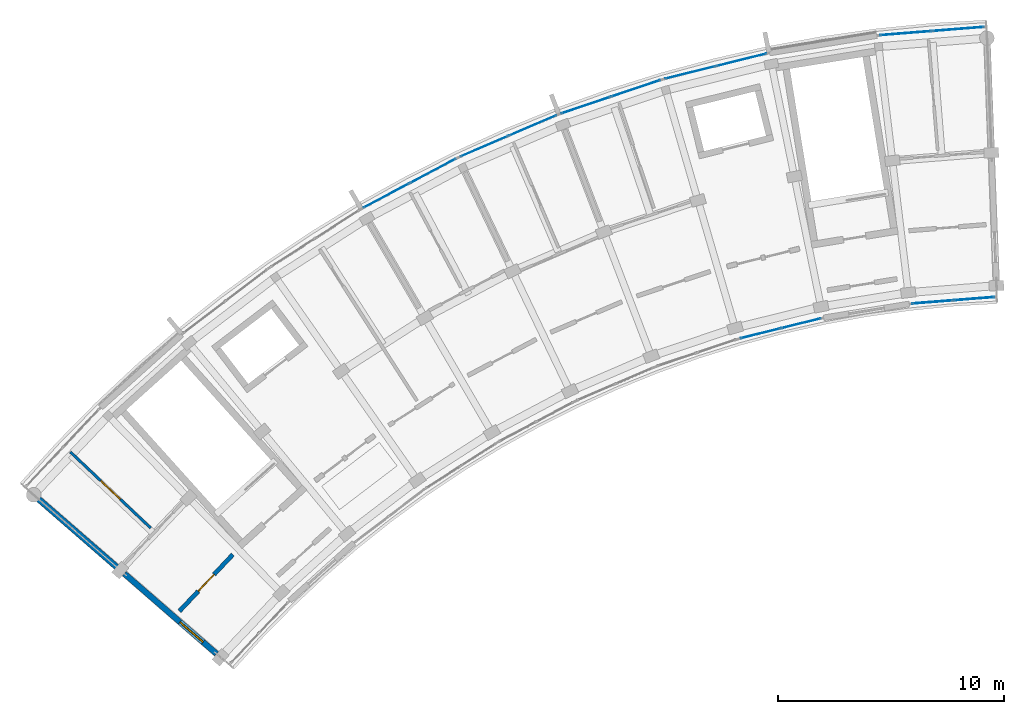
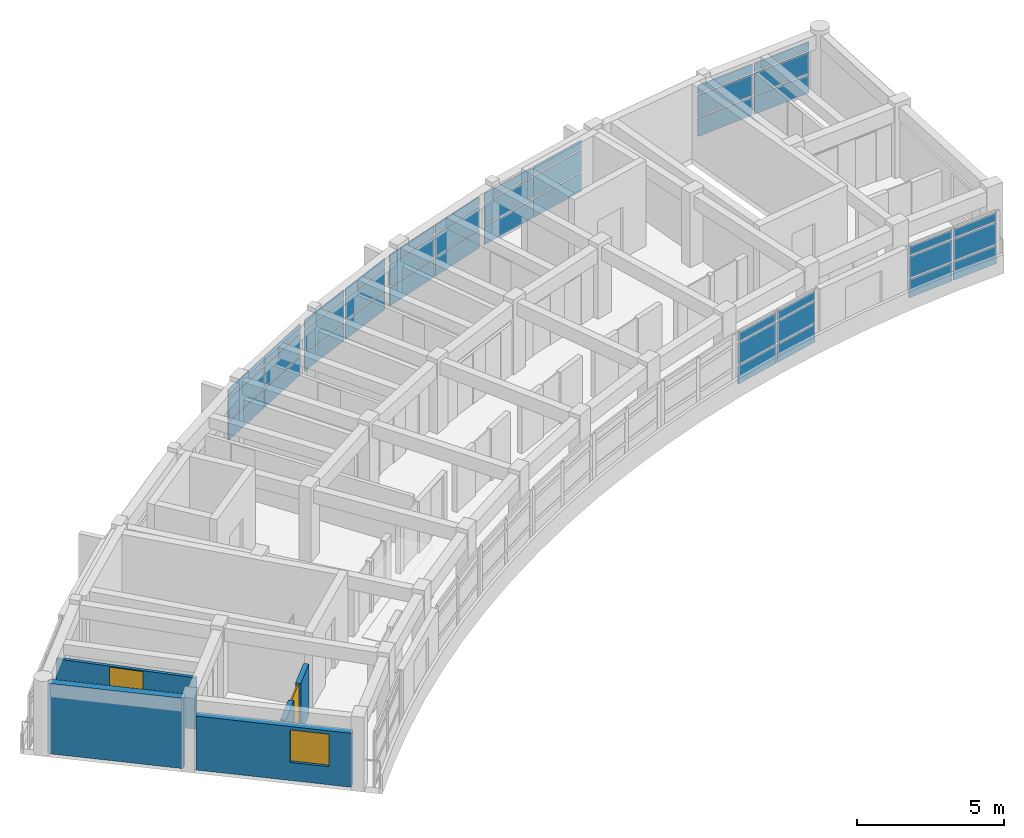
# One storey, part 7 of 11: 42 plates, 4 walls, 2 doors, 1 window, 3 openings, 7 elements without a shape of their own.
"""IFC4 building model written with IfcOpenShell, lengths in metres."""

from ifc_helpers import new_model, si_unit, direction, frame, frame_2d, origin, origin_2d, place, context, subcontext, project, spatial, rectangle, extrude, material, layer, layer_set, type_object, element, fill, aggregate, save


model = new_model("IFC4")

# Units and contexts
model_context = context("Model", 3, precision=1e-05, world=origin(), true_north=direction((0.0, 1.0)))
body_context = subcontext(model_context, "Body", "Model", "MODEL_VIEW")
ifc_project = project(units=[si_unit("LENGTHUNIT", "METRE"), si_unit("AREAUNIT", "SQUARE_METRE"), si_unit("VOLUMEUNIT", "CUBIC_METRE"), si_unit("PLANEANGLEUNIT", "RADIAN"), si_unit("MASSUNIT", "GRAM", prefix="KILO")], contexts=[model_context])

# Site, building, storey
site_placement = place(None, origin())
site = spatial("IfcSite", under=ifc_project, at=site_placement, CompositionType="ELEMENT")
building_placement = place(site_placement, origin())
building = spatial("IfcBuilding", under=site, at=building_placement, Name="Zimvara Arc Housing Community", CompositionType="ELEMENT")
storey_placement = place(building_placement, frame((0.0, 0.0, 42.199951171875)))
storey = spatial("IfcBuildingStorey", under=building, at=storey_placement, Name="L13", CompositionType="ELEMENT", Elevation=42.199951171875)

# Curtain wall, plates
ifc_material_1 = material(Name="Anodised Aluminium AW-6063", Category="aluminium")
curtain_wall_type_1 = type_object("IfcCurtainWallType", Name="CW-SYS-08", PredefinedType="USERDEFINED", material=ifc_material_1)
curtain_wall_1_placement = place(storey_placement, origin())
curtain_wall_1 = element("IfcCurtainWall", 1, at=curtain_wall_1_placement, inside=storey, type_object=curtain_wall_type_1, Name="cw:blkA:L13:in:b9", ObjectType="CURTAIN WALL", PredefinedType="USERDEFINED")
ifc_material_2 = material(Name="Pale-Gold Anodised Aluminium Spandrel Panel", Category="aluminium")
ifc_layer_1 = layer(ifc_material_2, 0.035888671875)
ifc_layer_set_1 = layer_set([ifc_layer_1], Name="Pale-Gold Anodised Aluminium Spandrel Panel")
plate_type_1 = type_object("IfcPlateType", Name="CWP-GLD-36", PredefinedType="CURTAIN_PANEL", material=ifc_layer_set_1)
plate_1_placement = place(storey_placement, frame((40.33056640625, 91.658935546875, 0.065185546875), z_axis=(0.0, 0.0, 1.0), x_axis=(0.996862312384, 0.079155101851, 0.0)))
plate_1 = element("IfcPlate", 2, at=plate_1_placement, type_object=plate_type_1, Name="CW08 panel 1.1", PredefinedType="CURTAIN_PANEL", context=body_context, shape_type="SweptSolid", body=[
    extrude(rectangle(XDim=1.778564453125, YDim=0.035888671875, at=origin_2d()), origin(), (0.0, 0.0, 1.0), 0.75244140625),
])
plate_2_placement = place(storey_placement, frame((40.33056640625, 91.658935546875, 0.88232421875), z_axis=(0.0, 0.0, 1.0), x_axis=(0.996862312384, 0.079155101851, 0.0)))
plate_2 = element("IfcPlate", 3, at=plate_2_placement, type_object=plate_type_1, Name="CW08 panel 1.2", PredefinedType="CURTAIN_PANEL", context=body_context, shape_type="SweptSolid", body=[
    extrude(rectangle(XDim=1.778564453125, YDim=0.035888671875, at=origin_2d()), origin(), (0.0, 0.0, 1.0), 0.885009765625),
])
plate_3_placement = place(storey_placement, frame((40.33056640625, 91.658935546875, 1.83251953125), z_axis=(0.0, 0.0, 1.0), x_axis=(0.996862312384, 0.079155101851, 0.0)))
plate_3 = element("IfcPlate", 4, at=plate_3_placement, type_object=plate_type_1, Name="CW08 panel 1.3", PredefinedType="CURTAIN_PANEL", context=body_context, shape_type="SweptSolid", body=[
    extrude(rectangle(XDim=1.778564453125, YDim=0.035888671875, at=origin_2d()), origin(), (0.0, 0.0, 1.0), 0.3525390625),
])
plate_4_placement = place(storey_placement, frame((42.16845703125, 91.8046875, 0.065185546875), z_axis=(0.0, 0.0, 1.0), x_axis=(0.996862312384, 0.079155101851, 0.0)))
plate_4 = element("IfcPlate", 5, at=plate_4_placement, type_object=plate_type_1, Name="CW08 panel 2.1", PredefinedType="CURTAIN_PANEL", context=body_context, shape_type="SweptSolid", body=[
    extrude(rectangle(XDim=1.778564453125, YDim=0.035888671875, at=origin_2d()), origin(), (0.0, 0.0, 1.0), 0.75244140625),
])
plate_5_placement = place(storey_placement, frame((42.16845703125, 91.8046875, 0.88232421875), z_axis=(0.0, 0.0, 1.0), x_axis=(0.996862312384, 0.079155101851, 0.0)))
plate_5 = element("IfcPlate", 6, at=plate_5_placement, type_object=plate_type_1, Name="CW08 panel 2.2", PredefinedType="CURTAIN_PANEL", context=body_context, shape_type="SweptSolid", body=[
    extrude(rectangle(XDim=1.778564453125, YDim=0.035888671875, at=origin_2d()), origin(), (0.0, 0.0, 1.0), 0.885009765625),
])
plate_6_placement = place(storey_placement, frame((42.16845703125, 91.8046875, 1.83251953125), z_axis=(0.0, 0.0, 1.0), x_axis=(0.996862312384, 0.079155101851, 0.0)))
plate_6 = element("IfcPlate", 7, at=plate_6_placement, type_object=plate_type_1, Name="CW08 panel 2.3", PredefinedType="CURTAIN_PANEL", context=body_context, shape_type="SweptSolid", body=[
    extrude(rectangle(XDim=1.778564453125, YDim=0.035888671875, at=origin_2d()), origin(), (0.0, 0.0, 1.0), 0.3525390625),
])
aggregate(curtain_wall_1, [plate_1, plate_2, plate_3, plate_4, plate_5, plate_6])

ifc_material_3 = material(Name="Anodised Aluminium AW-6063", Category="aluminium")
curtain_wall_type_2 = type_object("IfcCurtainWallType", Name="CW-SYS-01", PredefinedType="USERDEFINED", material=ifc_material_3)
curtain_wall_2_placement = place(storey_placement, origin())
curtain_wall_2 = element("IfcCurtainWall", 8, at=curtain_wall_2_placement, inside=storey, type_object=curtain_wall_type_2, Name="cw:blkA:L13:out:b5", ObjectType="CURTAIN WALL", PredefinedType="USERDEFINED")
ifc_material_4 = material(Name="Solar Control Low-E Double Glazing", Category="glass")
ifc_layer_2 = layer(ifc_material_4, 0.02392578125)
ifc_layer_set_2 = layer_set([ifc_layer_2], Name="Solar Control Low-E Double Glazing")
plate_type_2 = type_object("IfcPlateType", Name="CWP-GLZ-24", PredefinedType="CURTAIN_PANEL", material=ifc_layer_set_2)
plate_7_placement = place(storey_placement, frame((20.4990234375, 98.5478515625, 0.065185546875), z_axis=(0.0, 0.0, 1.0), x_axis=(0.918722299363, 0.394904211998, 0.0)))
plate_7 = element("IfcPlate", 9, at=plate_7_placement, type_object=plate_type_2, Name="CW01 panel 1.1", PredefinedType="CURTAIN_PANEL", context=body_context, shape_type="SweptSolid", body=[
    extrude(rectangle(XDim=2.266845703125, YDim=0.02392578125, at=origin_2d()), origin(), (0.0, 0.0, 1.0), 0.75244140625),
])
plate_8_placement = place(storey_placement, frame((20.4990234375, 98.5478515625, 0.88232421875), z_axis=(0.0, 0.0, 1.0), x_axis=(0.918722299363, 0.394904211998, 0.0)))
plate_8 = element("IfcPlate", 10, at=plate_8_placement, type_object=plate_type_2, Name="CW01 panel 1.2", PredefinedType="CURTAIN_PANEL", context=body_context, shape_type="SweptSolid", body=[
    extrude(rectangle(XDim=2.266845703125, YDim=0.02392578125, at=origin_2d()), origin(), (0.0, 0.0, 1.0), 0.885009765625),
])
plate_9_placement = place(storey_placement, frame((20.4990234375, 98.5478515625, 1.83251953125), z_axis=(0.0, 0.0, 1.0), x_axis=(0.918722299363, 0.394904211998, 0.0)))
plate_9 = element("IfcPlate", 11, at=plate_9_placement, type_object=plate_type_2, Name="CW01 panel 1.3", PredefinedType="CURTAIN_PANEL", context=body_context, shape_type="SweptSolid", body=[
    extrude(rectangle(XDim=2.266845703125, YDim=0.02392578125, at=origin_2d()), origin(), (0.0, 0.0, 1.0), 0.3525390625),
])
plate_10_placement = place(storey_placement, frame((22.641357421875, 99.46875, 0.065185546875), z_axis=(0.0, 0.0, 1.0), x_axis=(0.918722299363, 0.394904211998, 0.0)))
plate_10 = element("IfcPlate", 12, at=plate_10_placement, type_object=plate_type_2, Name="CW01 panel 2.1", PredefinedType="CURTAIN_PANEL", context=body_context, shape_type="SweptSolid", body=[
    extrude(rectangle(XDim=2.266845703125, YDim=0.02392578125, at=origin_2d()), origin(), (0.0, 0.0, 1.0), 0.75244140625),
])
plate_11_placement = place(storey_placement, frame((22.641357421875, 99.46875, 0.88232421875), z_axis=(0.0, 0.0, 1.0), x_axis=(0.918722299363, 0.394904211998, 0.0)))
plate_11 = element("IfcPlate", 13, at=plate_11_placement, type_object=plate_type_2, Name="CW01 panel 2.2", PredefinedType="CURTAIN_PANEL", context=body_context, shape_type="SweptSolid", body=[
    extrude(rectangle(XDim=2.266845703125, YDim=0.02392578125, at=origin_2d()), origin(), (0.0, 0.0, 1.0), 0.885009765625),
])
plate_12_placement = place(storey_placement, frame((22.641357421875, 99.46875, 1.83251953125), z_axis=(0.0, 0.0, 1.0), x_axis=(0.918722299363, 0.394904211998, 0.0)))
plate_12 = element("IfcPlate", 14, at=plate_12_placement, type_object=plate_type_2, Name="CW01 panel 2.3", PredefinedType="CURTAIN_PANEL", context=body_context, shape_type="SweptSolid", body=[
    extrude(rectangle(XDim=2.266845703125, YDim=0.02392578125, at=origin_2d()), origin(), (0.0, 0.0, 1.0), 0.3525390625),
])
aggregate(curtain_wall_2, [plate_7, plate_8, plate_9, plate_10, plate_11, plate_12])

ifc_material_5 = material(Name="Anodised Aluminium AW-6063", Category="aluminium")
curtain_wall_type_3 = type_object("IfcCurtainWallType", Name="CW-SYS-05", PredefinedType="USERDEFINED", material=ifc_material_5)
curtain_wall_3_placement = place(storey_placement, origin())
curtain_wall_3 = element("IfcCurtainWall", 15, at=curtain_wall_3_placement, inside=storey, type_object=curtain_wall_type_3, Name="cw:blkA:L13:out:b7", ObjectType="CURTAIN WALL", PredefinedType="USERDEFINED")
plate_13_placement = place(storey_placement, frame((29.615234375, 101.81298828125, 0.065185546875), z_axis=(0.0, 0.0, 1.0), x_axis=(0.970716068627, 0.240229711131, 0.0)))
plate_13 = element("IfcPlate", 16, at=plate_13_placement, type_object=plate_type_2, Name="CW05 panel 1.1", PredefinedType="CURTAIN_PANEL", context=body_context, shape_type="SweptSolid", body=[
    extrude(rectangle(XDim=2.266845703125, YDim=0.02392578125, at=origin_2d()), origin(), (0.0, 0.0, 1.0), 0.75244140625),
])
plate_14_placement = place(storey_placement, frame((29.615234375, 101.81298828125, 0.88232421875), z_axis=(0.0, 0.0, 1.0), x_axis=(0.970716068627, 0.240229711131, 0.0)))
plate_14 = element("IfcPlate", 17, at=plate_14_placement, type_object=plate_type_2, Name="CW05 panel 1.2", PredefinedType="CURTAIN_PANEL", context=body_context, shape_type="SweptSolid", body=[
    extrude(rectangle(XDim=2.266845703125, YDim=0.02392578125, at=origin_2d()), origin(), (0.0, 0.0, 1.0), 0.885009765625),
])
plate_15_placement = place(storey_placement, frame((29.615234375, 101.81298828125, 1.83251953125), z_axis=(0.0, 0.0, 1.0), x_axis=(0.970716068627, 0.240229711131, 0.0)))
plate_15 = element("IfcPlate", 18, at=plate_15_placement, type_object=plate_type_2, Name="CW05 panel 1.3", PredefinedType="CURTAIN_PANEL", context=body_context, shape_type="SweptSolid", body=[
    extrude(rectangle(XDim=2.266845703125, YDim=0.02392578125, at=origin_2d()), origin(), (0.0, 0.0, 1.0), 0.3525390625),
])
plate_16_placement = place(storey_placement, frame((31.87890625, 102.373291015625, 0.065185546875), z_axis=(0.0, 0.0, 1.0), x_axis=(0.970716068627, 0.240229711131, 0.0)))
plate_16 = element("IfcPlate", 19, at=plate_16_placement, type_object=plate_type_2, Name="CW05 panel 2.1", PredefinedType="CURTAIN_PANEL", context=body_context, shape_type="SweptSolid", body=[
    extrude(rectangle(XDim=2.266845703125, YDim=0.02392578125, at=origin_2d()), origin(), (0.0, 0.0, 1.0), 0.75244140625),
])
plate_17_placement = place(storey_placement, frame((31.87890625, 102.373291015625, 0.88232421875), z_axis=(0.0, 0.0, 1.0), x_axis=(0.970716068627, 0.240229711131, 0.0)))
plate_17 = element("IfcPlate", 20, at=plate_17_placement, type_object=plate_type_2, Name="CW05 panel 2.2", PredefinedType="CURTAIN_PANEL", context=body_context, shape_type="SweptSolid", body=[
    extrude(rectangle(XDim=2.266845703125, YDim=0.02392578125, at=origin_2d()), origin(), (0.0, 0.0, 1.0), 0.885009765625),
])
plate_18_placement = place(storey_placement, frame((31.87890625, 102.373291015625, 1.83251953125), z_axis=(0.0, 0.0, 1.0), x_axis=(0.970716068627, 0.240229711131, 0.0)))
plate_18 = element("IfcPlate", 21, at=plate_18_placement, type_object=plate_type_2, Name="CW05 panel 2.3", PredefinedType="CURTAIN_PANEL", context=body_context, shape_type="SweptSolid", body=[
    extrude(rectangle(XDim=2.266845703125, YDim=0.02392578125, at=origin_2d()), origin(), (0.0, 0.0, 1.0), 0.3525390625),
])
aggregate(curtain_wall_3, [plate_13, plate_14, plate_15, plate_16, plate_17, plate_18])

ifc_material_6 = material(Name="Anodised Aluminium AW-6063", Category="aluminium")
curtain_wall_type_4 = type_object("IfcCurtainWallType", Name="CW-SYS-06", PredefinedType="USERDEFINED", material=ifc_material_6)
curtain_wall_4_placement = place(storey_placement, origin())
curtain_wall_4 = element("IfcCurtainWall", 22, at=curtain_wall_4_placement, inside=storey, type_object=curtain_wall_type_4, Name="cw:blkA:L13:in:b7", ObjectType="CURTAIN WALL", PredefinedType="USERDEFINED")
ifc_material_7 = material(Name="Solar Control Low-E Double Glazing", Category="glass")
ifc_layer_3 = layer(ifc_material_7, 0.028076171875)
ifc_layer_set_3 = layer_set([ifc_layer_3], Name="Solar Control Low-E Double Glazing")
plate_type_3 = type_object("IfcPlateType", Name="CWP-GLZ-28", PredefinedType="CURTAIN_PANEL", material=ifc_layer_set_3)
plate_19_placement = place(storey_placement, frame((32.72314453125, 90.271484375, 0.065185546875), z_axis=(0.0, 0.0, 1.0), x_axis=(0.970716198507, 0.240229186313, 0.0)))
plate_19 = element("IfcPlate", 23, at=plate_19_placement, type_object=plate_type_3, Name="CW06 panel 1.1", PredefinedType="CURTAIN_PANEL", context=body_context, shape_type="SweptSolid", body=[
    extrude(rectangle(XDim=1.778564453125, YDim=0.028076171875, at=origin_2d()), origin(), (0.0, 0.0, 1.0), 0.75244140625),
])
plate_20_placement = place(storey_placement, frame((32.72314453125, 90.271484375, 0.88232421875), z_axis=(0.0, 0.0, 1.0), x_axis=(0.970716198507, 0.240229186313, 0.0)))
plate_20 = element("IfcPlate", 24, at=plate_20_placement, type_object=plate_type_3, Name="CW06 panel 1.2", PredefinedType="CURTAIN_PANEL", context=body_context, shape_type="SweptSolid", body=[
    extrude(rectangle(XDim=1.778564453125, YDim=0.028076171875, at=origin_2d()), origin(), (0.0, 0.0, 1.0), 0.885009765625),
])
plate_21_placement = place(storey_placement, frame((32.72314453125, 90.271484375, 1.83251953125), z_axis=(0.0, 0.0, 1.0), x_axis=(0.970716198507, 0.240229186313, 0.0)))
plate_21 = element("IfcPlate", 25, at=plate_21_placement, type_object=plate_type_3, Name="CW06 panel 1.3", PredefinedType="CURTAIN_PANEL", context=body_context, shape_type="SweptSolid", body=[
    extrude(rectangle(XDim=1.778564453125, YDim=0.028076171875, at=origin_2d()), origin(), (0.0, 0.0, 1.0), 0.3525390625),
])
plate_22_placement = place(storey_placement, frame((34.5126953125, 90.71435546875, 0.065185546875), z_axis=(0.0, 0.0, 1.0), x_axis=(0.970716198507, 0.240229186313, 0.0)))
plate_22 = element("IfcPlate", 26, at=plate_22_placement, type_object=plate_type_3, Name="CW06 panel 2.1", PredefinedType="CURTAIN_PANEL", context=body_context, shape_type="SweptSolid", body=[
    extrude(rectangle(XDim=1.778564453125, YDim=0.028076171875, at=origin_2d()), origin(), (0.0, 0.0, 1.0), 0.75244140625),
])
plate_23_placement = place(storey_placement, frame((34.5126953125, 90.71435546875, 0.88232421875), z_axis=(0.0, 0.0, 1.0), x_axis=(0.970716198507, 0.240229186313, 0.0)))
plate_23 = element("IfcPlate", 27, at=plate_23_placement, type_object=plate_type_3, Name="CW06 panel 2.2", PredefinedType="CURTAIN_PANEL", context=body_context, shape_type="SweptSolid", body=[
    extrude(rectangle(XDim=1.778564453125, YDim=0.028076171875, at=origin_2d()), origin(), (0.0, 0.0, 1.0), 0.885009765625),
])
plate_24_placement = place(storey_placement, frame((34.5126953125, 90.71435546875, 1.83251953125), z_axis=(0.0, 0.0, 1.0), x_axis=(0.970716198507, 0.240229186313, 0.0)))
plate_24 = element("IfcPlate", 28, at=plate_24_placement, type_object=plate_type_3, Name="CW06 panel 2.3", PredefinedType="CURTAIN_PANEL", context=body_context, shape_type="SweptSolid", body=[
    extrude(rectangle(XDim=1.778564453125, YDim=0.028076171875, at=origin_2d()), origin(), (0.0, 0.0, 1.0), 0.3525390625),
])
aggregate(curtain_wall_4, [plate_19, plate_20, plate_21, plate_22, plate_23, plate_24])

ifc_material_8 = material(Name="Anodised Aluminium AW-6063", Category="aluminium")
curtain_wall_type_5 = type_object("IfcCurtainWallType", Name="CW-SYS-07", PredefinedType="USERDEFINED", material=ifc_material_8)
curtain_wall_5_placement = place(storey_placement, origin())
curtain_wall_5 = element("IfcCurtainWall", 29, at=curtain_wall_5_placement, inside=storey, type_object=curtain_wall_type_5, Name="cw:blkA:L13:out:b4", ObjectType="CURTAIN WALL", PredefinedType="USERDEFINED")
ifc_material_9 = material(Name="Acoustic Laminated Solar Glazing", Category="glass")
ifc_layer_4 = layer(ifc_material_9, 0.031982421875)
ifc_layer_set_4 = layer_set([ifc_layer_4], Name="Acoustic Laminated Solar Glazing")
plate_type_4 = type_object("IfcPlateType", Name="CWP-GLZ-32", PredefinedType="CURTAIN_PANEL", material=ifc_layer_set_4)
plate_25_placement = place(storey_placement, frame((16.1708984375, 96.36865234375, 0.065185546875), z_axis=(0.0, 0.0, 1.0), x_axis=(0.883438614651, 0.468546917761, 0.0)))
plate_25 = element("IfcPlate", 30, at=plate_25_placement, type_object=plate_type_4, Name="CW07 panel 1.1", PredefinedType="CURTAIN_PANEL", context=body_context, shape_type="SweptSolid", body=[
    extrude(rectangle(XDim=2.266845703125, YDim=0.031982421875, at=origin_2d()), origin(), (0.0, 0.0, 1.0), 0.75244140625),
])
plate_26_placement = place(storey_placement, frame((16.1708984375, 96.36865234375, 0.88232421875), z_axis=(0.0, 0.0, 1.0), x_axis=(0.883438614651, 0.468546917761, 0.0)))
plate_26 = element("IfcPlate", 31, at=plate_26_placement, type_object=plate_type_4, Name="CW07 panel 1.2", PredefinedType="CURTAIN_PANEL", context=body_context, shape_type="SweptSolid", body=[
    extrude(rectangle(XDim=2.266845703125, YDim=0.031982421875, at=origin_2d()), origin(), (0.0, 0.0, 1.0), 0.885009765625),
])
plate_27_placement = place(storey_placement, frame((16.1708984375, 96.36865234375, 1.83251953125), z_axis=(0.0, 0.0, 1.0), x_axis=(0.883438614651, 0.468546917761, 0.0)))
plate_27 = element("IfcPlate", 32, at=plate_27_placement, type_object=plate_type_4, Name="CW07 panel 1.3", PredefinedType="CURTAIN_PANEL", context=body_context, shape_type="SweptSolid", body=[
    extrude(rectangle(XDim=2.266845703125, YDim=0.031982421875, at=origin_2d()), origin(), (0.0, 0.0, 1.0), 0.3525390625),
])
plate_28_placement = place(storey_placement, frame((18.23095703125, 97.461181640625, 0.065185546875), z_axis=(0.0, 0.0, 1.0), x_axis=(0.883438614651, 0.468546917761, 0.0)))
plate_28 = element("IfcPlate", 33, at=plate_28_placement, type_object=plate_type_4, Name="CW07 panel 2.1", PredefinedType="CURTAIN_PANEL", context=body_context, shape_type="SweptSolid", body=[
    extrude(rectangle(XDim=2.266845703125, YDim=0.031982421875, at=origin_2d()), origin(), (0.0, 0.0, 1.0), 0.75244140625),
])
plate_29_placement = place(storey_placement, frame((18.23095703125, 97.461181640625, 0.88232421875), z_axis=(0.0, 0.0, 1.0), x_axis=(0.883438614651, 0.468546917761, 0.0)))
plate_29 = element("IfcPlate", 34, at=plate_29_placement, type_object=plate_type_4, Name="CW07 panel 2.2", PredefinedType="CURTAIN_PANEL", context=body_context, shape_type="SweptSolid", body=[
    extrude(rectangle(XDim=2.266845703125, YDim=0.031982421875, at=origin_2d()), origin(), (0.0, 0.0, 1.0), 0.885009765625),
])
plate_30_placement = place(storey_placement, frame((18.23095703125, 97.461181640625, 1.83251953125), z_axis=(0.0, 0.0, 1.0), x_axis=(0.883438614651, 0.468546917761, 0.0)))
plate_30 = element("IfcPlate", 35, at=plate_30_placement, type_object=plate_type_4, Name="CW07 panel 2.3", PredefinedType="CURTAIN_PANEL", context=body_context, shape_type="SweptSolid", body=[
    extrude(rectangle(XDim=2.266845703125, YDim=0.031982421875, at=origin_2d()), origin(), (0.0, 0.0, 1.0), 0.3525390625),
])
aggregate(curtain_wall_5, [plate_25, plate_26, plate_27, plate_28, plate_29, plate_30])

ifc_material_10 = material(Name="Anodised Aluminium AW-6063", Category="aluminium")
curtain_wall_type_6 = type_object("IfcCurtainWallType", Name="CW-SYS-03", PredefinedType="USERDEFINED", material=ifc_material_10)
curtain_wall_6_placement = place(storey_placement, origin())
curtain_wall_6 = element("IfcCurtainWall", 36, at=curtain_wall_6_placement, inside=storey, type_object=curtain_wall_type_6, Name="cw:blkA:L13:out:b6", ObjectType="CURTAIN WALL", PredefinedType="USERDEFINED")
plate_31_placement = place(storey_placement, frame((24.990478515625, 100.36669921875, 0.065185546875), z_axis=(0.0, 0.0, 1.0), x_axis=(0.947879647164, 0.318628583921, 0.0)))
plate_31 = element("IfcPlate", 37, at=plate_31_placement, type_object=plate_type_4, Name="CW03 panel 1.1", PredefinedType="CURTAIN_PANEL", context=body_context, shape_type="SweptSolid", body=[
    extrude(rectangle(XDim=2.266845703125, YDim=0.031982421875, at=origin_2d()), origin(), (0.0, 0.0, 1.0), 0.75244140625),
])
plate_32_placement = place(storey_placement, frame((24.990478515625, 100.36669921875, 0.88232421875), z_axis=(0.0, 0.0, 1.0), x_axis=(0.947879647164, 0.318628583921, 0.0)))
plate_32 = element("IfcPlate", 38, at=plate_32_placement, type_object=plate_type_4, Name="CW03 panel 1.2", PredefinedType="CURTAIN_PANEL", context=body_context, shape_type="SweptSolid", body=[
    extrude(rectangle(XDim=2.266845703125, YDim=0.031982421875, at=origin_2d()), origin(), (0.0, 0.0, 1.0), 0.885009765625),
])
plate_33_placement = place(storey_placement, frame((24.990478515625, 100.36669921875, 1.83251953125), z_axis=(0.0, 0.0, 1.0), x_axis=(0.947879647164, 0.318628583921, 0.0)))
plate_33 = element("IfcPlate", 39, at=plate_33_placement, type_object=plate_type_4, Name="CW03 panel 1.3", PredefinedType="CURTAIN_PANEL", context=body_context, shape_type="SweptSolid", body=[
    extrude(rectangle(XDim=2.266845703125, YDim=0.031982421875, at=origin_2d()), origin(), (0.0, 0.0, 1.0), 0.3525390625),
])
plate_34_placement = place(storey_placement, frame((27.200927734375, 101.109619140625, 0.065185546875), z_axis=(0.0, 0.0, 1.0), x_axis=(0.947879647164, 0.318628583921, 0.0)))
plate_34 = element("IfcPlate", 40, at=plate_34_placement, type_object=plate_type_4, Name="CW03 panel 2.1", PredefinedType="CURTAIN_PANEL", context=body_context, shape_type="SweptSolid", body=[
    extrude(rectangle(XDim=2.266845703125, YDim=0.031982421875, at=origin_2d()), origin(), (0.0, 0.0, 1.0), 0.75244140625),
])
plate_35_placement = place(storey_placement, frame((27.200927734375, 101.109619140625, 0.88232421875), z_axis=(0.0, 0.0, 1.0), x_axis=(0.947879647164, 0.318628583921, 0.0)))
plate_35 = element("IfcPlate", 41, at=plate_35_placement, type_object=plate_type_4, Name="CW03 panel 2.2", PredefinedType="CURTAIN_PANEL", context=body_context, shape_type="SweptSolid", body=[
    extrude(rectangle(XDim=2.266845703125, YDim=0.031982421875, at=origin_2d()), origin(), (0.0, 0.0, 1.0), 0.885009765625),
])
plate_36_placement = place(storey_placement, frame((27.200927734375, 101.109619140625, 1.83251953125), z_axis=(0.0, 0.0, 1.0), x_axis=(0.947879647164, 0.318628583921, 0.0)))
plate_36 = element("IfcPlate", 42, at=plate_36_placement, type_object=plate_type_4, Name="CW03 panel 2.3", PredefinedType="CURTAIN_PANEL", context=body_context, shape_type="SweptSolid", body=[
    extrude(rectangle(XDim=2.266845703125, YDim=0.031982421875, at=origin_2d()), origin(), (0.0, 0.0, 1.0), 0.3525390625),
])
aggregate(curtain_wall_6, [plate_31, plate_32, plate_33, plate_34, plate_35, plate_36])

curtain_wall_7_placement = place(storey_placement, origin())
curtain_wall_7 = element("IfcCurtainWall", 43, at=curtain_wall_7_placement, inside=storey, type_object=curtain_wall_type_5, Name="cw:blkA:L13:out:b9", ObjectType="CURTAIN WALL", PredefinedType="USERDEFINED")
plate_37_placement = place(storey_placement, frame((39.141357421875, 103.552001953125, 0.065185546875), z_axis=(0.0, 0.0, 1.0), x_axis=(0.996862418963, 0.079153759607, 0.0)))
plate_37 = element("IfcPlate", 44, at=plate_37_placement, type_object=plate_type_4, Name="CW07 panel 1.1", PredefinedType="CURTAIN_PANEL", context=body_context, shape_type="SweptSolid", body=[
    extrude(rectangle(XDim=2.266845703125, YDim=0.031982421875, at=origin_2d()), origin(), (0.0, 0.0, 1.0), 0.75244140625),
])
plate_38_placement = place(storey_placement, frame((39.141357421875, 103.552001953125, 0.88232421875), z_axis=(0.0, 0.0, 1.0), x_axis=(0.996862418963, 0.079153759607, 0.0)))
plate_38 = element("IfcPlate", 45, at=plate_38_placement, type_object=plate_type_4, Name="CW07 panel 1.2", PredefinedType="CURTAIN_PANEL", context=body_context, shape_type="SweptSolid", body=[
    extrude(rectangle(XDim=2.266845703125, YDim=0.031982421875, at=origin_2d()), origin(), (0.0, 0.0, 1.0), 0.885009765625),
])
plate_39_placement = place(storey_placement, frame((39.141357421875, 103.552001953125, 1.83251953125), z_axis=(0.0, 0.0, 1.0), x_axis=(0.996862418963, 0.079153759607, 0.0)))
plate_39 = element("IfcPlate", 46, at=plate_39_placement, type_object=plate_type_4, Name="CW07 panel 1.3", PredefinedType="CURTAIN_PANEL", context=body_context, shape_type="SweptSolid", body=[
    extrude(rectangle(XDim=2.266845703125, YDim=0.031982421875, at=origin_2d()), origin(), (0.0, 0.0, 1.0), 0.3525390625),
])
plate_40_placement = place(storey_placement, frame((41.466064453125, 103.736572265625, 0.065185546875), z_axis=(0.0, 0.0, 1.0), x_axis=(0.996862418963, 0.079153759607, 0.0)))
plate_40 = element("IfcPlate", 47, at=plate_40_placement, type_object=plate_type_4, Name="CW07 panel 2.1", PredefinedType="CURTAIN_PANEL", context=body_context, shape_type="SweptSolid", body=[
    extrude(rectangle(XDim=2.266845703125, YDim=0.031982421875, at=origin_2d()), origin(), (0.0, 0.0, 1.0), 0.75244140625),
])
plate_41_placement = place(storey_placement, frame((41.466064453125, 103.736572265625, 0.88232421875), z_axis=(0.0, 0.0, 1.0), x_axis=(0.996862418963, 0.079153759607, 0.0)))
plate_41 = element("IfcPlate", 48, at=plate_41_placement, type_object=plate_type_4, Name="CW07 panel 2.2", PredefinedType="CURTAIN_PANEL", context=body_context, shape_type="SweptSolid", body=[
    extrude(rectangle(XDim=2.266845703125, YDim=0.031982421875, at=origin_2d()), origin(), (0.0, 0.0, 1.0), 0.885009765625),
])
plate_42_placement = place(storey_placement, frame((41.466064453125, 103.736572265625, 1.83251953125), z_axis=(0.0, 0.0, 1.0), x_axis=(0.996862418963, 0.079153759607, 0.0)))
plate_42 = element("IfcPlate", 49, at=plate_42_placement, type_object=plate_type_4, Name="CW07 panel 2.3", PredefinedType="CURTAIN_PANEL", context=body_context, shape_type="SweptSolid", body=[
    extrude(rectangle(XDim=2.266845703125, YDim=0.031982421875, at=origin_2d()), origin(), (0.0, 0.0, 1.0), 0.3525390625),
])
aggregate(curtain_wall_7, [plate_37, plate_38, plate_39, plate_40, plate_41, plate_42])

# Wall, opening, window
ifc_material_11 = material(Name="Board-Marked Fair-Faced Concrete C35/45", Category="concrete")
ifc_layer_5 = layer(ifc_material_11, 0.2548828125)
ifc_layer_set_5 = layer_set([ifc_layer_5], Name="Board-Marked Fair-Faced Concrete C35/45")
wall_type_1 = type_object("IfcWallType", Name="EWL-CONC-255", PredefinedType="SOLIDWALL", material=ifc_layer_set_5)
wall_1_placement = place(storey_placement, frame((8.653076171875, 76.095703125, 0.0), z_axis=(0.0, 0.0, 1.0), x_axis=(-0.754709658894, 0.65605893849, 0.0)))
wall_1 = element("IfcWall", 50, at=wall_1_placement, inside=storey, type_object=wall_type_1, Name="ewall:blkA:L13:g0", PredefinedType="SOLIDWALL", context=body_context, shape_type="SweptSolid", body=[
    extrude(rectangle(XDim=5.39990234375, YDim=0.2548828125, at=frame_2d((2.699951171875, 0.0))), origin(), (0.0, 0.0, 1.0), 2.239990234375),
])
opening_1_placement = place(wall_1_placement, frame((0.7900390625, 0.0, 0.75)))
opening_1 = element("IfcOpeningElement", 51, at=opening_1_placement, cuts=wall_1, Name="Opening W12", PredefinedType="OPENING", context=body_context, shape_type="SweptSolid", body=[
    extrude(rectangle(XDim=1.35009765625, YDim=1.35009765625, at=frame_2d((0.675048828125, 0.675048828125))), frame((0.0, 0.137451171875, 0.0), z_axis=(0.0, -1.0, 0.0), x_axis=(1.0, 0.0, 0.0)), (0.0, 0.0, 1.0), 0.27490234375),
])
ifc_material_12 = material(Name="Solar Control Low-E Double Glazing", Category="glass")
window_type = type_object("IfcWindowType", Name="WIN-RES-1350x1350", PartitioningType="DOUBLE_PANEL_VERTICAL", PredefinedType="WINDOW", material=ifc_material_12)
window_placement = place(opening_1_placement, origin())
window = element("IfcWindow", 52, at=window_placement, inside=storey, type_object=window_type, Name="win:blkA:L13:g0:w", OverallHeight=1.35009765625, OverallWidth=1.35009765625, PartitioningType="DOUBLE_PANEL_VERTICAL", PredefinedType="WINDOW", context=body_context, shape_type="SweptSolid", body=[
    extrude(rectangle(XDim=1.35009765625, YDim=1.35009765625, at=frame_2d((0.675048828125, 0.675048828125))), frame((0.0, 0.030029296875, 0.0), z_axis=(0.0, -1.0, 0.0), x_axis=(1.0, 0.0, 0.0)), (0.0, 0.0, 1.0), 0.06005859375),
])
fill(opening_1, window)

# Wall, opening, door
ifc_material_13 = material(Name="Concrete C35/45", Category="concrete")
ifc_layer_6 = layer(ifc_material_13, 0.18994140625)
ifc_layer_set_6 = layer_set([ifc_layer_6], Name="Concrete C35/45")
wall_type_2 = type_object("IfcWallType", Name="IWL-CORR-190", PredefinedType="SOLIDWALL", material=ifc_layer_set_6)
wall_2_placement = place(storey_placement, frame((7.01416015625, 77.98388671875, 0.0), z_axis=(0.0, 0.0, 1.0), x_axis=(0.686310507227, 0.727308660522, 0.0)))
wall_2 = element("IfcWall", 53, at=wall_2_placement, inside=storey, type_object=wall_type_2, Name="iwall:blkA:L13:corr_out:b0", PredefinedType="SOLIDWALL", context=body_context, shape_type="SweptSolid", body=[
    extrude(rectangle(XDim=3.43603515625, YDim=0.18994140625, at=frame_2d((1.718017578125, 0.0))), origin(), (0.0, 0.0, 1.0), 2.14013671875),
])
opening_2_placement = place(wall_2_placement, frame((1.2080078125, 0.0, 0.0)))
opening_2 = element("IfcOpeningElement", 54, at=opening_2_placement, cuts=wall_2, Name="Opening FD-FL2", PredefinedType="OPENING", context=body_context, shape_type="SweptSolid", body=[
    extrude(rectangle(XDim=1.02001953125, YDim=2.14990234375, at=frame_2d((0.510009765625, 1.074951171875))), frame((0.0, 0.10498046875, 0.0), z_axis=(0.0, -1.0, 0.0), x_axis=(1.0, 0.0, 0.0)), (0.0, 0.0, 1.0), 0.2099609375),
])
ifc_material_14 = material(Name="Mozambican Hardwood", Category="wood")
door_type_1 = type_object("IfcDoorType", Name="IDR-FLAT-1020x2150", OperationType="NOTDEFINED", PredefinedType="DOOR", material=ifc_material_14)
door_1_placement = place(opening_2_placement, origin())
door_1 = element("IfcDoor", 55, at=door_1_placement, inside=storey, type_object=door_type_1, Name="idoor:blkA:L13:flat:b0", OperationType="SINGLE_SWING_LEFT", OverallHeight=2.14990234375, OverallWidth=1.02001953125, PredefinedType="DOOR", context=body_context, shape_type="SweptSolid", body=[
    extrude(rectangle(XDim=1.02001953125, YDim=2.14990234375, at=frame_2d((0.510009765625, 1.074951171875))), frame((0.0, 0.02490234375, 0.0), z_axis=(0.0, -1.0, 0.0), x_axis=(1.0, 0.0, 0.0)), (0.0, 0.0, 1.0), 0.050048828125),
])
fill(opening_2, door_1)

ifc_material_15 = material(Name="Painted Acoustic Plasterboard")
ifc_layer_7 = layer(ifc_material_15, 0.1201171875)
ifc_layer_set_7 = layer_set([ifc_layer_7], Name="Painted Acoustic Plasterboard")
wall_type_3 = type_object("IfcWallType", Name="IWL-PART-120", PredefinedType="PARTITIONING", material=ifc_layer_set_7)
wall_3_placement = place(storey_placement, frame((5.745849609375, 81.6552734375, 0.0), z_axis=(0.0, 0.0, 1.0), x_axis=(-0.726295620759, 0.687382478149, 0.0)))
wall_3 = element("IfcWall", 56, at=wall_3_placement, inside=storey, type_object=wall_type_3, Name="iwall:blkA:L13:bed_div:b0", PredefinedType="PARTITIONING", context=body_context, shape_type="SweptSolid", body=[
    extrude(rectangle(XDim=4.89990234375, YDim=0.1201171875, at=frame_2d((2.449951171875, 0.0))), origin(), (0.0, 0.0, 1.0), 2.14013671875),
])
opening_3_placement = place(wall_3_placement, frame((1.860107421875, 0.0, 0.0)))
opening_3 = element("IfcOpeningElement", 57, at=opening_3_placement, cuts=wall_3, Name="Opening D18", PredefinedType="OPENING", context=body_context, shape_type="SweptSolid", body=[
    extrude(rectangle(XDim=1.179931640625, YDim=2.10009765625, at=frame_2d((0.58984375, 1.050048828125))), frame((0.0, 0.070068359375, 0.0), z_axis=(0.0, -1.0, 0.0), x_axis=(1.0, 0.0, 0.0)), (0.0, 0.0, 1.0), 0.14013671875),
])
ifc_material_16 = material(Name="Mozambican Hardwood", Category="wood")
door_type_2 = type_object("IfcDoorType", Name="IDR-MOD-1180x2120", OperationType="NOTDEFINED", PredefinedType="DOOR", material=ifc_material_16)
door_2_placement = place(opening_3_placement, origin())
door_2 = element("IfcDoor", 58, at=door_2_placement, inside=storey, type_object=door_type_2, Name="idoor:blkA:L13:bed_d:b0", OperationType="SINGLE_SWING_RIGHT", OverallHeight=2.10009765625, OverallWidth=1.179931640625, PredefinedType="DOOR", context=body_context, shape_type="SweptSolid", body=[
    extrude(rectangle(XDim=1.179931640625, YDim=2.10009765625, at=frame_2d((0.58984375, 1.050048828125))), frame((0.0, 0.02490234375, 0.0), z_axis=(0.0, -1.0, 0.0), x_axis=(1.0, 0.0, 0.0)), (0.0, 0.0, 1.0), 0.050048828125),
])
fill(opening_3, door_2)

# Wall
ifc_material_17 = material(Name="Concrete C40/50", Category="concrete")
ifc_layer_8 = layer(ifc_material_17, 0.27001953125)
ifc_layer_set_8 = layer_set([ifc_layer_8], Name="Concrete C40/50")
wall_type_4 = type_object("IfcWallType", Name="WL-SHEAR-270", PredefinedType="SHEAR", material=ifc_layer_set_8)
wall_4_placement = place(storey_placement, frame((4.2607421875, 79.9140625, 0.0), z_axis=(0.0, 0.0, 1.0), x_axis=(-0.754703505217, 0.65606601742, 0.0)))
element("IfcWall", 59, at=wall_4_placement, inside=storey, type_object=wall_type_4, Name="swall:blkA:L13:west", PredefinedType="SHEAR", context=body_context, shape_type="SweptSolid", body=[
    extrude(rectangle(XDim=4.719970703125, YDim=0.27001953125, at=frame_2d((2.35986328125, 0.0))), origin(), (0.0, 0.0, 1.0), 2.920166015625),
])

save(model, "model.ifc")
